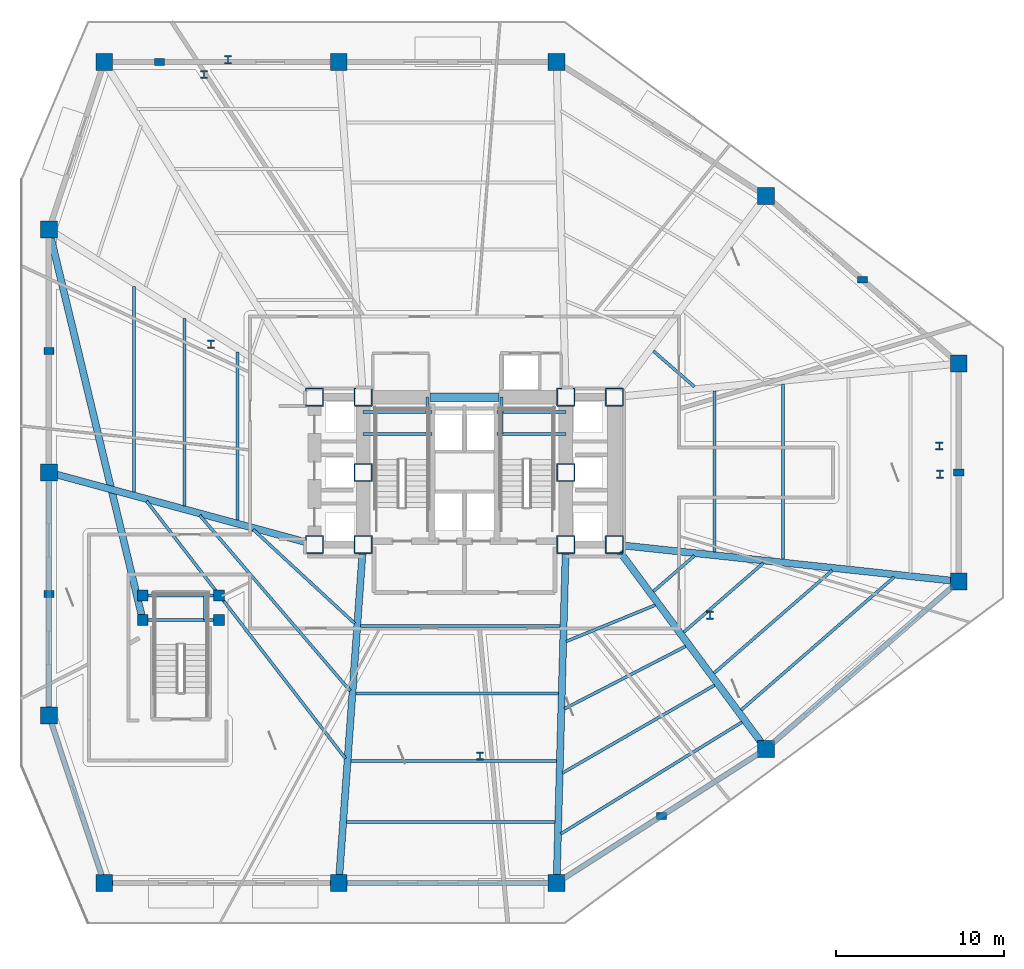
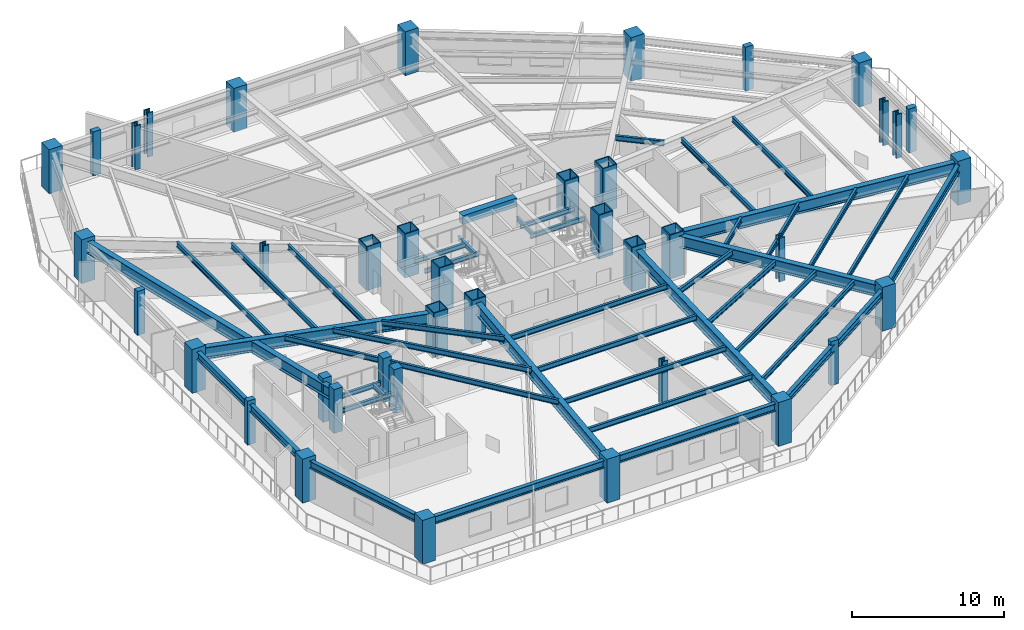
# One storey, part 1 of 10: 43 beams, 40 columns.
"""IFC4 building model written with IfcOpenShell, lengths in metres."""

from ifc_helpers import new_model, si_unit, direction, frame, origin, origin_2d, place, context, subcontext, project, spatial, rectangle, hollow_rectangle, i_section, extrude, material, material_profile, profile_set, type_object, element, save


model = new_model("IFC4")

# Units and contexts
model_context = context("Model", 3, precision=1e-05, world=origin(), true_north=direction((0.0, 1.0)))
body_context = subcontext(model_context, "Body", "Model", "MODEL_VIEW")
ifc_project = project(units=[si_unit("LENGTHUNIT", "METRE"), si_unit("AREAUNIT", "SQUARE_METRE"), si_unit("VOLUMEUNIT", "CUBIC_METRE"), si_unit("PLANEANGLEUNIT", "RADIAN"), si_unit("MASSUNIT", "GRAM", prefix="KILO")], contexts=[model_context])

# Site, building, storey
site_placement = place(None, origin())
site = spatial("IfcSite", under=ifc_project, at=site_placement, CompositionType="ELEMENT")
building_placement = place(site_placement, origin())
building = spatial("IfcBuilding", under=site, at=building_placement, Name="Rocaltana Carrier Exchange", CompositionType="ELEMENT")
storey_placement = place(building_placement, frame((0.0, 0.0, 4.800048828125)))
storey = spatial("IfcBuildingStorey", under=building, at=storey_placement, Name="L02", CompositionType="ELEMENT", Elevation=4.800048828125)

# Columns
ifc_material_1 = material(Name="Concrete C60/75", Category="concrete")
ifc_material_profile_1 = material_profile(ifc_material_1, rectangle(XDim=0.60009765625, YDim=0.39990234375, at=origin_2d()), Name="RC-PIL-600X400")
ifc_profile_set_1 = profile_set([ifc_material_profile_1], Name="Concrete C60/75")
column_type_1 = type_object("IfcColumnType", Name="Concourse Boundary Pilaster 600x400", PredefinedType="PILASTER", material=ifc_profile_set_1)
for number, where, z_axis, x_axis, name in (
    (1, (11.75, -20.5, 0.0), (0.0, 0.0, 1.0), (1.0, 0.0, 0.0), "L02 Concourse Pilaster PL01"),
    (2, (29.5, 0.0, 0.0), (0.0, 0.0, 1.0), (1.0, 0.0, 0.0), "L02 Concourse Pilaster PL02"),
    (3, (-18.199951171875, 24.5, 0.0), (0.0, 0.0, 1.0), (1.0, 0.0, 0.0), "L02 Concourse Pilaster PL03"),
    (4, (23.75, 11.5, 0.0), (0.0, 0.0, 1.0), (1.0, 0.0, 0.0), "L02 Concourse Pilaster PL04"),
    (5, (-24.800048828125, 7.25, 0.0), (0.0, 0.0, 1.0), (1.0, 0.0, 0.0), "L02 Concourse Pilaster PL05"),
    (6, (-24.800048828125, -7.25, 0.0), (0.0, 0.0, 1.0), (1.0, 0.0, 0.0), "L02 Concourse Pilaster PL06"),
):
    element("IfcColumn", number, at=place(storey_placement, frame(where, z_axis=z_axis, x_axis=x_axis)), inside=storey, type_object=column_type_1, Name=name, PredefinedType="PILASTER", context=body_context, shape_type="SweptSolid", body=[
        extrude(rectangle(XDim=0.60009765625, YDim=0.39990234375, at=origin_2d()), origin(), (0.0, 0.0, 1.0), 3.52001953125),
    ])
ifc_material_2 = material(Name="Steel S460", Category="steel")
ifc_material_profile_2 = material_profile(ifc_material_2, hollow_rectangle(XDim=1.10009765625, YDim=1.10009765625, WallThickness=0.070068359375, InnerFilletRadius=0.02001953125, OuterFilletRadius=0.0400390625, at=origin_2d()), Name="BOX1100X1100X70")
ifc_profile_set_2 = profile_set([ifc_material_profile_2], Name="Steel S460")
column_type_2 = type_object("IfcColumnType", Name="Core Mega-Column BOX1100", PredefinedType="COLUMN", material=ifc_profile_set_2)
for number, where, z_axis, x_axis, name in (
    (7, (-6.050048828125, 4.5, 0.0), (0.0, 0.0, 1.0), (1.0, 0.0, 0.0), "L02 Core Mega-Column MC1"),
    (8, (6.050048828125, 4.5, 0.0), (0.0, 0.0, 1.0), (1.0, 0.0, 0.0), "L02 Core Mega-Column MC2"),
    (9, (-6.050048828125, 0.0, 0.0), (0.0, 0.0, 1.0), (1.0, 0.0, 0.0), "L02 Core Mega-Column MC3"),
    (10, (6.050048828125, 0.0, 0.0), (0.0, 0.0, 1.0), (1.0, 0.0, 0.0), "L02 Core Mega-Column MC4"),
    (11, (-6.050048828125, -4.300048828125, 0.0), (0.0, 0.0, 1.0), (1.0, 0.0, 0.0), "L02 Core Mega-Column MC5"),
    (12, (6.050048828125, -4.300048828125, 0.0), (0.0, 0.0, 1.0), (1.0, 0.0, 0.0), "L02 Core Mega-Column MC6"),
    (13, (-8.949951171875, 4.5, 0.0), (0.0, 0.0, 1.0), (1.0, 0.0, 0.0), "L02 West Core Column WC1"),
    (14, (-8.949951171875, -4.300048828125, 0.0), (0.0, 0.0, 1.0), (1.0, 0.0, 0.0), "L02 West Core Column WC2"),
    (15, (8.949951171875, 4.5, 0.0), (0.0, 0.0, 1.0), (1.0, 0.0, 0.0), "L02 East Core Column EC1"),
    (16, (8.949951171875, -4.300048828125, 0.0), (0.0, 0.0, 1.0), (1.0, 0.0, 0.0), "L02 East Core Column EC2"),
):
    element("IfcColumn", number, at=place(storey_placement, frame(where, z_axis=z_axis, x_axis=x_axis)), inside=storey, type_object=column_type_2, Name=name, PredefinedType="COLUMN", context=body_context, shape_type="SweptSolid", body=[
        extrude(hollow_rectangle(XDim=1.10009765625, YDim=1.10009765625, WallThickness=0.070068359375, InnerFilletRadius=0.02001953125, OuterFilletRadius=0.0400390625, at=origin_2d()), origin(), (0.0, 0.0, 1.0), 3.52001953125),
    ])
ifc_material_3 = material(Name="Steel S460", Category="steel")
ifc_material_profile_3 = material_profile(ifc_material_3, i_section(OverallWidth=0.431884765625, OverallDepth=0.498046875, WebThickness=0.0556640625, FlangeThickness=0.0888671875, FilletRadius=0.02490234375, at=origin_2d()), Name="W14X500")
ifc_profile_set_3 = profile_set([ifc_material_profile_3], Name="Steel S460")
column_type_3 = type_object("IfcColumnType", Name="Perimeter Column W14X500", PredefinedType="COLUMN", material=ifc_profile_set_3)
for number, where, z_axis, x_axis, name in (
    (17, (28.340576171875, 1.5849609375, 0.0), (0.0, 0.0, 1.0), (1.0, 0.0, 0.0), "L02 Podium Tower Mega-Column PT01"),
    (18, (-14.106201171875, 24.631591796875, 0.0), (0.0, 0.0, 1.0), (1.0, 0.0, 0.0), "L02 Podium Tower Mega-Column PT04"),
    (19, (-15.54296875, 23.751220703125, 0.0), (0.0, 0.0, 1.0), (1.0, 0.0, 0.0), "L02 Podium Tower Mega-Column PT05"),
    (20, (-15.121337890625, 7.65673828125, 0.0), (0.0, 0.0, 1.0), (1.0, 0.0, 0.0), "L02 Podium Tower Mega-Column PT06"),
    (21, (0.9296875, -16.923828125, 0.0), (0.0, 0.0, 1.0), (1.0, 0.0, 0.0), "L02 Podium Tower Mega-Column PT10"),
    (22, (14.6572265625, -8.51171875, 0.0), (0.0, 0.0, 1.0), (1.0, 0.0, 0.0), "L02 Podium Tower Mega-Column PT11"),
    (23, (28.384765625, -0.099609375, 0.0), (0.0, 0.0, 1.0), (1.0, 0.0, 0.0), "L02 Podium Tower Mega-Column PT12"),
):
    element("IfcColumn", number, at=place(storey_placement, frame(where, z_axis=z_axis, x_axis=x_axis)), inside=storey, type_object=column_type_3, Name=name, PredefinedType="COLUMN", context=body_context, shape_type="SweptSolid", body=[
        extrude(i_section(OverallWidth=0.431884765625, OverallDepth=0.498046875, WebThickness=0.0556640625, FlangeThickness=0.0888671875, FilletRadius=0.02490234375, at=origin_2d()), origin(), (0.0, 0.0, 1.0), 3.52001953125),
    ])
ifc_material_4 = material(Name="Concrete C60/75", Category="concrete")
ifc_material_profile_4 = material_profile(ifc_material_4, rectangle(XDim=1.0, YDim=1.0, at=origin_2d()), Name="RC-COL-1000X1000")
ifc_profile_set_4 = profile_set([ifc_material_profile_4], Name="Concrete C60/75")
column_type_4 = type_object("IfcColumnType", Name="Podium RC Column 1000", PredefinedType="COLUMN", material=ifc_profile_set_4)
for number, where, z_axis, x_axis, name in (
    (24, (-21.5, -24.5, 0.0), (0.0, 0.0, 1.0), (1.0, 0.0, 0.0), "L02 Podium Mega-Column PC01"),
    (25, (-7.5, -24.5, 0.0), (0.0, 0.0, 1.0), (1.0, 0.0, 0.0), "L02 Podium Mega-Column PC02"),
    (26, (5.5, -24.5, 0.0), (0.0, 0.0, 1.0), (1.0, 0.0, 0.0), "L02 Podium Mega-Column PC03"),
    (27, (18.0, -16.5, 0.0), (0.0, 0.0, 1.0), (1.0, 0.0, 0.0), "L02 Podium Mega-Column PC04"),
    (28, (29.5, -6.5, 0.0), (0.0, 0.0, 1.0), (1.0, 0.0, 0.0), "L02 Podium Mega-Column PC05"),
    (29, (29.5, 6.5, 0.0), (0.0, 0.0, 1.0), (1.0, 0.0, 0.0), "L02 Podium Mega-Column PC06"),
    (30, (18.0, 16.5, 0.0), (0.0, 0.0, 1.0), (1.0, 0.0, 0.0), "L02 Podium Mega-Column PC07"),
    (31, (5.5, 24.5, 0.0), (0.0, 0.0, 1.0), (1.0, 0.0, 0.0), "L02 Podium Mega-Column PC08"),
    (32, (-7.5, 24.5, 0.0), (0.0, 0.0, 1.0), (1.0, 0.0, 0.0), "L02 Podium Mega-Column PC09"),
    (33, (-21.5, 24.5, 0.0), (0.0, 0.0, 1.0), (1.0, 0.0, 0.0), "L02 Podium Mega-Column PC10"),
    (34, (-24.800048828125, 14.5, 0.0), (0.0, 0.0, 1.0), (1.0, 0.0, 0.0), "L02 Podium Mega-Column PC11"),
    (35, (-24.800048828125, 0.0, 0.0), (0.0, 0.0, 1.0), (1.0, 0.0, 0.0), "L02 Podium Mega-Column PC13"),
    (36, (-24.800048828125, -14.5, 0.0), (0.0, 0.0, 1.0), (1.0, 0.0, 0.0), "L02 Podium Mega-Column PC12"),
):
    element("IfcColumn", number, at=place(storey_placement, frame(where, z_axis=z_axis, x_axis=x_axis)), inside=storey, type_object=column_type_4, Name=name, PredefinedType="COLUMN", context=body_context, shape_type="SweptSolid", body=[
        extrude(rectangle(XDim=1.0, YDim=1.0, at=origin_2d()), origin(), (0.0, 0.0, 1.0), 3.52001953125),
    ])
ifc_material_5 = material(Name="Concrete C50/60", Category="concrete")
ifc_material_profile_5 = material_profile(ifc_material_5, rectangle(XDim=0.64990234375, YDim=0.64990234375, at=origin_2d()), Name="RC-COL-650X650")
ifc_profile_set_5 = profile_set([ifc_material_profile_5], Name="Concrete C50/60")
column_type_5 = type_object("IfcColumnType", Name="Stair Shaft RC Column 650", PredefinedType="COLUMN", material=ifc_profile_set_5)
for number, where, z_axis, x_axis, name in (
    (37, (-19.199951171875, -8.800048828125, 0.0), (0.0, 0.0, 1.0), (1.0, 0.0, 0.0), "L02 Stair Shaft Column SC3A"),
    (38, (-14.64990234375, -8.800048828125, 0.0), (0.0, 0.0, 1.0), (1.0, 0.0, 0.0), "L02 Stair Shaft Column SC3B"),
    (39, (-19.199951171875, -7.35009765625, 0.0), (0.0, 0.0, 1.0), (1.0, 0.0, 0.0), "L02 Stair Shaft Column SC3C"),
    (40, (-14.64990234375, -7.35009765625, 0.0), (0.0, 0.0, 1.0), (1.0, 0.0, 0.0), "L02 Stair Shaft Column SC3D"),
):
    element("IfcColumn", number, at=place(storey_placement, frame(where, z_axis=z_axis, x_axis=x_axis)), inside=storey, type_object=column_type_5, Name=name, PredefinedType="COLUMN", context=body_context, shape_type="SweptSolid", body=[
        extrude(rectangle(XDim=0.64990234375, YDim=0.64990234375, at=origin_2d()), origin(), (0.0, 0.0, 1.0), 3.52001953125),
    ])

# Beams
ifc_material_6 = material(Name="Concrete C60/75", Category="concrete")
ifc_material_profile_6 = material_profile(ifc_material_6, rectangle(XDim=0.5, YDim=0.699951171875, at=origin_2d()), Name="RC-BM-500X700")
ifc_profile_set_6 = profile_set([ifc_material_profile_6], Name="Concrete C60/75")
beam_type_1 = type_object("IfcBeamType", Name="Core Coupling Lintel 500x700", PredefinedType="LINTEL", material=ifc_profile_set_6)
beam_1_placement = place(storey_placement, frame((-2.050048828125, 4.5, 2.867919921875), z_axis=(1.0, 0.0, 0.0), x_axis=(0.0, 1.0, 0.0)))
element("IfcBeam", 41, at=beam_1_placement, inside=storey, type_object=beam_type_1, Name="L02 Core Coupling Lintel CL-N", PredefinedType="LINTEL", context=body_context, shape_type="SweptSolid", body=[
    extrude(rectangle(XDim=0.5, YDim=0.699951171875, at=origin_2d()), origin(), (0.0, 0.0, 1.0), 4.10009765625),
])
ifc_material_7 = material(Name="Steel S355", Category="steel")
ifc_material_profile_7 = material_profile(ifc_material_7, i_section(OverallWidth=0.172119140625, OverallDepth=0.35791015625, WebThickness=0.0078125, FlangeThickness=0.01318359375, FilletRadius=0.011962890625, at=origin_2d()), Name="W14X38")
ifc_profile_set_7 = profile_set([ifc_material_profile_7], Name="Steel S355")
beam_type_2 = type_object("IfcBeamType", Name="Floor Joist W14X38", PredefinedType="JOIST", material=ifc_profile_set_7)
for number, where, z_axis, x_axis, name in (
    (42, (-6.050048828125, 2.300048828125, 1.380859375), (1.0, 0.0, 0.0), (0.0, 1.0, 0.0), "L02 ST-1 Landing Carrier 1"),
    (43, (1.93994140625, 2.300048828125, 1.380859375), (1.0, 0.0, 0.0), (0.0, 1.0, 0.0), "L02 ST-2 Landing Carrier 1"),
    (44, (-6.050048828125, 3.60009765625, 1.380859375), (1.0, 0.0, 0.0), (0.0, 1.0, 0.0), "L02 ST-1 Landing Carrier 2"),
    (45, (1.93994140625, 3.60009765625, 1.380859375), (1.0, 0.0, 0.0), (0.0, 1.0, 0.0), "L02 ST-2 Landing Carrier 2"),
):
    element("IfcBeam", number, at=place(storey_placement, frame(where, z_axis=z_axis, x_axis=x_axis)), inside=storey, type_object=beam_type_2, Name=name, PredefinedType="JOIST", context=body_context, shape_type="SweptSolid", body=[
        extrude(i_section(OverallWidth=0.172119140625, OverallDepth=0.35791015625, WebThickness=0.0078125, FlangeThickness=0.01318359375, FilletRadius=0.011962890625, at=origin_2d()), origin(), (0.0, 0.0, 1.0), 4.110107421875),
    ])
for number, where, z_axis, x_axis, name in (
    (46, (-2.219970703125, 2.300048828125, 1.380859375), (0.0, 1.0, 0.0), (-1.0, 0.0, 0.0), "L02 ST-1 Landing Cross Trimmer"),
    (47, (2.219970703125, 2.300048828125, 1.380859375), (0.0, 1.0, 0.0), (-1.0, 0.0, 0.0), "L02 ST-2 Landing Cross Trimmer"),
):
    element("IfcBeam", number, at=place(storey_placement, frame(where, z_axis=z_axis, x_axis=x_axis)), inside=storey, type_object=beam_type_2, Name=name, PredefinedType="JOIST", context=body_context, shape_type="SweptSolid", body=[
        extrude(i_section(OverallWidth=0.172119140625, OverallDepth=0.35791015625, WebThickness=0.0078125, FlangeThickness=0.01318359375, FilletRadius=0.011962890625, at=origin_2d()), origin(), (0.0, 0.0, 1.0), 2.199951171875),
    ])
for number, where, z_axis, x_axis, name in (
    (48, (-19.199951171875, -8.800048828125, 1.380859375), (1.0, 0.0, 0.0), (0.0, 1.0, 0.0), "L02 ST-3 South Landing Carrier"),
    (49, (-19.199951171875, -7.35009765625, 1.380859375), (1.0, 0.0, 0.0), (0.0, 1.0, 0.0), "L02 ST-3 North Landing Carrier"),
):
    element("IfcBeam", number, at=place(storey_placement, frame(where, z_axis=z_axis, x_axis=x_axis)), inside=storey, type_object=beam_type_2, Name=name, PredefinedType="JOIST", context=body_context, shape_type="SweptSolid", body=[
        extrude(i_section(OverallWidth=0.172119140625, OverallDepth=0.35791015625, WebThickness=0.0078125, FlangeThickness=0.01318359375, FilletRadius=0.011962890625, at=origin_2d()), origin(), (0.0, 0.0, 1.0), 4.550048828125),
    ])
beam_2_placement = place(storey_placement, frame((-15.5, -8.800048828125, 1.380859375), z_axis=(0.0, 1.0, 0.0), x_axis=(-1.0, 0.0, 0.0)))
element("IfcBeam", 50, at=beam_2_placement, inside=storey, type_object=beam_type_2, Name="L02 ST-3 Landing Cross Trimmer", PredefinedType="JOIST", context=body_context, shape_type="SweptSolid", body=[
    extrude(i_section(OverallWidth=0.172119140625, OverallDepth=0.35791015625, WebThickness=0.0078125, FlangeThickness=0.01318359375, FilletRadius=0.011962890625, at=origin_2d()), origin(), (0.0, 0.0, 1.0), 1.449951171875),
])
ifc_material_8 = material(Name="Steel S355", Category="steel")
ifc_material_profile_8 = material_profile(ifc_material_8, i_section(OverallWidth=0.179931640625, OverallDepth=0.4130859375, WebThickness=0.009765625, FlangeThickness=0.01611328125, FilletRadius=0.012939453125, at=origin_2d()), Name="W16X50")
ifc_profile_set_8 = profile_set([ifc_material_profile_8], Name="Steel S355")
beam_type_3 = type_object("IfcBeamType", Name="Floor Joist W16X50", PredefinedType="JOIST", material=ifc_profile_set_8)
beam_3_placement = place(storey_placement, frame((-6.195068359375, -9.14794921875, 3.011474609375), z_axis=(1.0, 0.0, 0.0), x_axis=(0.0, 1.0, 0.0)))
element("IfcBeam", 51, at=beam_3_placement, inside=storey, type_object=beam_type_3, Name="FJ-POD-01-1-L02", PredefinedType="JOIST", context=body_context, shape_type="SweptSolid", body=[
    extrude(i_section(OverallWidth=0.179931640625, OverallDepth=0.4130859375, WebThickness=0.009765625, FlangeThickness=0.01611328125, FilletRadius=0.012939453125, at=origin_2d()), origin(), (0.0, 0.0, 1.0), 11.91015625),
])
beam_4_placement = place(storey_placement, frame((-6.485107421875, -13.18798828125, 3.011474609375), z_axis=(1.0, 0.0, 0.0), x_axis=(0.0, 1.0, 0.0)))
element("IfcBeam", 52, at=beam_4_placement, inside=storey, type_object=beam_type_3, Name="FJ-POD-01-2-L02", PredefinedType="JOIST", context=body_context, shape_type="SweptSolid", body=[
    extrude(i_section(OverallWidth=0.179931640625, OverallDepth=0.4130859375, WebThickness=0.009765625, FlangeThickness=0.01611328125, FilletRadius=0.012939453125, at=origin_2d()), origin(), (0.0, 0.0, 1.0), 12.090087890625),
])
beam_5_placement = place(storey_placement, frame((-6.77490234375, -17.22802734375, 3.011474609375), z_axis=(1.0, 0.0, 0.0), x_axis=(0.0, 1.0, 0.0)))
element("IfcBeam", 53, at=beam_5_placement, inside=storey, type_object=beam_type_3, Name="FJ-POD-01-3-L02", PredefinedType="JOIST", context=body_context, shape_type="SweptSolid", body=[
    extrude(i_section(OverallWidth=0.179931640625, OverallDepth=0.4130859375, WebThickness=0.009765625, FlangeThickness=0.01611328125, FilletRadius=0.012939453125, at=origin_2d()), origin(), (0.0, 0.0, 1.0), 12.27001953125),
])
beam_6_placement = place(storey_placement, frame((-7.035888671875, -20.864013671875, 3.011474609375), z_axis=(1.0, 0.0, 0.0), x_axis=(0.0, 1.0, 0.0)))
element("IfcBeam", 54, at=beam_6_placement, inside=storey, type_object=beam_type_3, Name="FJ-POD-01-4-L02", PredefinedType="JOIST", context=body_context, shape_type="SweptSolid", body=[
    extrude(i_section(OverallWidth=0.179931640625, OverallDepth=0.4130859375, WebThickness=0.009765625, FlangeThickness=0.01611328125, FilletRadius=0.012939453125, at=origin_2d()), origin(), (0.0, 0.0, 1.0), 12.431884765625),
])
beam_7_placement = place(storey_placement, frame((6.078369140625, -10.081298828125, 3.011474609375), z_axis=(0.925857980972, 0.377871670108, 0.0), x_axis=(-0.377871670108, 0.925857980972, 0.0)))
element("IfcBeam", 55, at=beam_7_placement, inside=storey, type_object=beam_type_3, Name="FJ-POD-02-1-L02", PredefinedType="JOIST", context=body_context, shape_type="SweptSolid", body=[
    extrude(i_section(OverallWidth=0.179931640625, OverallDepth=0.4130859375, WebThickness=0.009765625, FlangeThickness=0.01611328125, FilletRadius=0.012939453125, at=origin_2d()), origin(), (0.0, 0.0, 1.0), 5.7333984375),
])
beam_8_placement = place(storey_placement, frame((5.9609375, -14.10498046875, 3.011474609375), z_axis=(0.888846638309, 0.458204816176, 0.0), x_axis=(-0.458204816176, 0.888846638309, 0.0)))
element("IfcBeam", 56, at=beam_8_placement, inside=storey, type_object=beam_type_3, Name="FJ-POD-02-2-L02", PredefinedType="JOIST", context=body_context, shape_type="SweptSolid", body=[
    extrude(i_section(OverallWidth=0.179931640625, OverallDepth=0.4130859375, WebThickness=0.009765625, FlangeThickness=0.01611328125, FilletRadius=0.012939453125, at=origin_2d()), origin(), (0.0, 0.0, 1.0), 8.14892578125),
])
beam_9_placement = place(storey_placement, frame((5.851806640625, -17.9345703125, 3.011474609375), z_axis=(0.866158045768, 0.499770186937, 0.0), x_axis=(-0.499770186937, 0.866158045768, 0.0)))
element("IfcBeam", 57, at=beam_9_placement, inside=storey, type_object=beam_type_3, Name="FJ-POD-02-3-L02", PredefinedType="JOIST", context=body_context, shape_type="SweptSolid", body=[
    extrude(i_section(OverallWidth=0.179931640625, OverallDepth=0.4130859375, WebThickness=0.009765625, FlangeThickness=0.01611328125, FilletRadius=0.012939453125, at=origin_2d()), origin(), (0.0, 0.0, 1.0), 10.47900390625),
])
beam_10_placement = place(storey_placement, frame((5.749755859375, -21.5654296875, 3.011474609375), z_axis=(0.851162281675, 0.524902629307, 0.0), x_axis=(-0.524902629307, 0.851162281675, 0.0)))
element("IfcBeam", 58, at=beam_10_placement, inside=storey, type_object=beam_type_3, Name="FJ-POD-02-4-L02", PredefinedType="JOIST", context=body_context, shape_type="SweptSolid", body=[
    extrude(i_section(OverallWidth=0.179931640625, OverallDepth=0.4130859375, WebThickness=0.009765625, FlangeThickness=0.01611328125, FilletRadius=0.012939453125, at=origin_2d()), origin(), (0.0, 0.0, 1.0), 12.700927734375),
])
beam_11_placement = place(storey_placement, frame((11.275146484375, -7.0947265625, 3.011474609375), z_axis=(0.75461037159, 0.656173138042, 0.0), x_axis=(-0.656173138042, 0.75461037159, 0.0)))
element("IfcBeam", 59, at=beam_11_placement, inside=storey, type_object=beam_type_3, Name="FJ-POD-03-1-L02", PredefinedType="JOIST", context=body_context, shape_type="SweptSolid", body=[
    extrude(i_section(OverallWidth=0.179931640625, OverallDepth=0.4130859375, WebThickness=0.009765625, FlangeThickness=0.01611328125, FilletRadius=0.012939453125, at=origin_2d()), origin(), (0.0, 0.0, 1.0), 3.25146484375),
])
beam_12_placement = place(storey_placement, frame((13.085205078125, -9.534912109375, 3.011474609375), z_axis=(0.754592172713, 0.656194066477, 0.0), x_axis=(-0.656194066477, 0.754592172713, 0.0)))
element("IfcBeam", 60, at=beam_12_placement, inside=storey, type_object=beam_type_3, Name="FJ-POD-03-2-L02", PredefinedType="JOIST", context=body_context, shape_type="SweptSolid", body=[
    extrude(i_section(OverallWidth=0.179931640625, OverallDepth=0.4130859375, WebThickness=0.009765625, FlangeThickness=0.01611328125, FilletRadius=0.012939453125, at=origin_2d()), origin(), (0.0, 0.0, 1.0), 6.299560546875),
])
beam_13_placement = place(storey_placement, frame((14.895263671875, -11.974853515625, 3.011474609375), z_axis=(0.754600461433, 0.65618453472, 0.0), x_axis=(-0.65618453472, 0.754600461433, 0.0)))
element("IfcBeam", 61, at=beam_13_placement, inside=storey, type_object=beam_type_3, Name="FJ-POD-03-3-L02", PredefinedType="JOIST", context=body_context, shape_type="SweptSolid", body=[
    extrude(i_section(OverallWidth=0.179931640625, OverallDepth=0.4130859375, WebThickness=0.009765625, FlangeThickness=0.01611328125, FilletRadius=0.012939453125, at=origin_2d()), origin(), (0.0, 0.0, 1.0), 9.34716796875),
])
beam_14_placement = place(storey_placement, frame((16.524169921875, -14.1708984375, 3.011474609375), z_axis=(0.754602044397, 0.656182714335, 0.0), x_axis=(-0.656182714335, 0.754602044397, 0.0)))
element("IfcBeam", 62, at=beam_14_placement, inside=storey, type_object=beam_type_3, Name="FJ-POD-03-4-L02", PredefinedType="JOIST", context=body_context, shape_type="SweptSolid", body=[
    extrude(i_section(OverallWidth=0.179931640625, OverallDepth=0.4130859375, WebThickness=0.009765625, FlangeThickness=0.01611328125, FilletRadius=0.012939453125, at=origin_2d()), origin(), (0.0, 0.0, 1.0), 12.090576171875),
])
beam_15_placement = place(storey_placement, frame((14.909423828125, -4.735107421875, 3.011474609375), z_axis=(0.0, 1.0, 0.0), x_axis=(-1.0, 0.0, 0.0)))
element("IfcBeam", 63, at=beam_15_placement, inside=storey, type_object=beam_type_3, Name="FJ-POD-04-1-L02", PredefinedType="JOIST", context=body_context, shape_type="SweptSolid", body=[
    extrude(i_section(OverallWidth=0.179931640625, OverallDepth=0.4130859375, WebThickness=0.009765625, FlangeThickness=0.01611328125, FilletRadius=0.012939453125, at=origin_2d()), origin(), (0.0, 0.0, 1.0), 9.612060546875),
])
beam_16_placement = place(storey_placement, frame((19.01953125, -5.175048828125, 3.011474609375), z_axis=(0.0, 1.0, 0.0), x_axis=(-1.0, 0.0, 0.0)))
element("IfcBeam", 64, at=beam_16_placement, inside=storey, type_object=beam_type_3, Name="FJ-POD-04-2-L02", PredefinedType="JOIST", context=body_context, shape_type="SweptSolid", body=[
    extrude(i_section(OverallWidth=0.179931640625, OverallDepth=0.4130859375, WebThickness=0.009765625, FlangeThickness=0.01611328125, FilletRadius=0.012939453125, at=origin_2d()), origin(), (0.0, 0.0, 1.0), 10.4521484375),
])
beam_17_placement = place(storey_placement, frame((13.728759765625, 5.11328125, 3.011474609375), z_axis=(-0.75461037159, 0.656173138042, 0.0), x_axis=(-0.656173138042, -0.75461037159, 0.0)))
element("IfcBeam", 65, at=beam_17_placement, inside=storey, type_object=beam_type_3, Name="FJ-POD-05-1-L02", PredefinedType="JOIST", context=body_context, shape_type="SweptSolid", body=[
    extrude(i_section(OverallWidth=0.179931640625, OverallDepth=0.4130859375, WebThickness=0.009765625, FlangeThickness=0.01611328125, FilletRadius=0.012939453125, at=origin_2d()), origin(), (0.0, 0.0, 1.0), 3.25146484375),
])
beam_18_placement = place(storey_placement, frame((-13.54638671875, 7.197021484375, 3.011474609375), z_axis=(0.0, -1.0, 0.0), x_axis=(1.0, 0.0, 0.0)))
element("IfcBeam", 66, at=beam_18_placement, inside=storey, type_object=beam_type_3, Name="FJ-POD-10-1-L02", PredefinedType="JOIST", context=body_context, shape_type="SweptSolid", body=[
    extrude(i_section(OverallWidth=0.179931640625, OverallDepth=0.4130859375, WebThickness=0.009765625, FlangeThickness=0.01611328125, FilletRadius=0.012939453125, at=origin_2d()), origin(), (0.0, 0.0, 1.0), 10.047119140625),
])
beam_19_placement = place(storey_placement, frame((-16.716552734375, 9.197021484375, 3.011474609375), z_axis=(0.0, -1.0, 0.0), x_axis=(1.0, 0.0, 0.0)))
element("IfcBeam", 67, at=beam_19_placement, inside=storey, type_object=beam_type_3, Name="FJ-POD-10-2-L02", PredefinedType="JOIST", context=body_context, shape_type="SweptSolid", body=[
    extrude(i_section(OverallWidth=0.179931640625, OverallDepth=0.4130859375, WebThickness=0.009765625, FlangeThickness=0.01611328125, FilletRadius=0.012939453125, at=origin_2d()), origin(), (0.0, 0.0, 1.0), 11.18701171875),
])
beam_20_placement = place(storey_placement, frame((-19.72802734375, 11.096923828125, 3.011474609375), z_axis=(0.0, -1.0, 0.0), x_axis=(1.0, 0.0, 0.0)))
element("IfcBeam", 68, at=beam_20_placement, inside=storey, type_object=beam_type_3, Name="FJ-POD-10-3-L02", PredefinedType="JOIST", context=body_context, shape_type="SweptSolid", body=[
    extrude(i_section(OverallWidth=0.179931640625, OverallDepth=0.4130859375, WebThickness=0.009765625, FlangeThickness=0.01611328125, FilletRadius=0.012939453125, at=origin_2d()), origin(), (0.0, 0.0, 1.0), 12.27001953125),
])
beam_21_placement = place(storey_placement, frame((-12.60498046875, -3.406005859375, 3.011474609375), z_axis=(0.734070313169, -0.679073468282, 0.0), x_axis=(0.679073468282, 0.734070313169, 0.0)))
element("IfcBeam", 69, at=beam_21_placement, inside=storey, type_object=beam_type_3, Name="FJ-POD-11-1-L02", PredefinedType="JOIST", context=body_context, shape_type="SweptSolid", body=[
    extrude(i_section(OverallWidth=0.179931640625, OverallDepth=0.4130859375, WebThickness=0.009765625, FlangeThickness=0.01611328125, FilletRadius=0.012939453125, at=origin_2d()), origin(), (0.0, 0.0, 1.0), 8.25244140625),
])
beam_22_placement = place(storey_placement, frame((-15.7919921875, -2.562255859375, 3.011474609375), z_axis=(0.650641180635, -0.759385313304, 0.0), x_axis=(0.759385313304, 0.650641180635, 0.0)))
element("IfcBeam", 70, at=beam_22_placement, inside=storey, type_object=beam_type_3, Name="FJ-POD-11-2-L02", PredefinedType="JOIST", context=body_context, shape_type="SweptSolid", body=[
    extrude(i_section(OverallWidth=0.179931640625, OverallDepth=0.4130859375, WebThickness=0.009765625, FlangeThickness=0.01611328125, FilletRadius=0.012939453125, at=origin_2d()), origin(), (0.0, 0.0, 1.0), 13.789306640625),
])
beam_23_placement = place(storey_placement, frame((-18.969970703125, -1.70849609375, 3.011474609375), z_axis=(0.611437477542, -0.791292746748, 0.0), x_axis=(0.791292746748, 0.611437477542, 0.0)))
element("IfcBeam", 71, at=beam_23_placement, inside=storey, type_object=beam_type_3, Name="FJ-POD-11-3-L02", PredefinedType="JOIST", context=body_context, shape_type="SweptSolid", body=[
    extrude(i_section(OverallWidth=0.179931640625, OverallDepth=0.4130859375, WebThickness=0.009765625, FlangeThickness=0.01611328125, FilletRadius=0.012939453125, at=origin_2d()), origin(), (0.0, 0.0, 1.0), 19.409912109375),
])
ifc_material_9 = material(Name="Steel S355", Category="steel")
ifc_material_profile_9 = material_profile(ifc_material_9, i_section(OverallWidth=0.41796875, OverallDepth=0.927001953125, WebThickness=0.019287109375, FlangeThickness=0.031982421875, FilletRadius=0.02197265625, at=origin_2d()), Name="W36X231")
ifc_profile_set_9 = profile_set([ifc_material_profile_9], Name="Steel S355")
beam_type_4 = type_object("IfcBeamType", Name="Heavy Floor Girder W36X231", PredefinedType="BEAM", material=ifc_profile_set_9)
beam_24_placement = place(storey_placement, frame((-24.800048828125, 14.5, 2.75439453125), z_axis=(0.233691988748, -0.972310677919, 0.0), x_axis=(0.972310677919, 0.233691988748, 0.0)))
element("IfcBeam", 72, at=beam_24_placement, inside=storey, type_object=beam_type_4, Name="BM-PODG-ST3TRIM-L02", PredefinedType="BEAM", context=body_context, shape_type="SweptSolid", body=[
    extrude(i_section(OverallWidth=0.41796875, OverallDepth=0.927001953125, WebThickness=0.019287109375, FlangeThickness=0.031982421875, FilletRadius=0.02197265625, at=origin_2d()), origin(), (0.0, 0.0, 1.0), 23.963623046875),
])
beam_25_placement = place(storey_placement, frame((-6.0888671875, -4.840576171875, 2.75439453125), z_axis=(-0.071598236064, -0.997433552971, 0.0), x_axis=(0.997433552971, -0.071598236064, 0.0)))
element("IfcBeam", 73, at=beam_25_placement, inside=storey, type_object=beam_type_4, Name="BM-PODG-02-L02", PredefinedType="BEAM", context=body_context, shape_type="SweptSolid", body=[
    extrude(i_section(OverallWidth=0.41796875, OverallDepth=0.927001953125, WebThickness=0.019287109375, FlangeThickness=0.031982421875, FilletRadius=0.02197265625, at=origin_2d()), origin(), (0.0, 0.0, 1.0), 19.218017578125),
])
beam_26_placement = place(storey_placement, frame((6.03515625, -4.841796875, 2.75439453125), z_axis=(-0.027210769983, -0.999629718444, 0.0), x_axis=(0.999629718444, -0.027210769983, 0.0)))
element("IfcBeam", 74, at=beam_26_placement, inside=storey, type_object=beam_type_4, Name="BM-PODG-03-L02", PredefinedType="BEAM", context=body_context, shape_type="SweptSolid", body=[
    extrude(i_section(OverallWidth=0.41796875, OverallDepth=0.927001953125, WebThickness=0.019287109375, FlangeThickness=0.031982421875, FilletRadius=0.02197265625, at=origin_2d()), origin(), (0.0, 0.0, 1.0), 19.173583984375),
])
beam_27_placement = place(storey_placement, frame((9.27294921875, -4.7353515625, 2.75439453125), z_axis=(0.595769776536, -0.803155261059, 0.0), x_axis=(0.803155261059, 0.595769776536, 0.0)))
element("IfcBeam", 75, at=beam_27_placement, inside=storey, type_object=beam_type_4, Name="BM-PODG-04-L02", PredefinedType="BEAM", context=body_context, shape_type="SweptSolid", body=[
    extrude(i_section(OverallWidth=0.41796875, OverallDepth=0.927001953125, WebThickness=0.019287109375, FlangeThickness=0.031982421875, FilletRadius=0.02197265625, at=origin_2d()), origin(), (0.0, 0.0, 1.0), 14.15625),
])
beam_28_placement = place(storey_placement, frame((9.489013671875, -4.357666015625, 2.75439453125), z_axis=(0.994318699664, -0.10644399231, 0.0), x_axis=(0.10644399231, 0.994318699664, 0.0)))
element("IfcBeam", 76, at=beam_28_placement, inside=storey, type_object=beam_type_4, Name="BM-PODG-05-L02", PredefinedType="BEAM", context=body_context, shape_type="SweptSolid", body=[
    extrude(i_section(OverallWidth=0.41796875, OverallDepth=0.927001953125, WebThickness=0.019287109375, FlangeThickness=0.031982421875, FilletRadius=0.02197265625, at=origin_2d()), origin(), (0.0, 0.0, 1.0), 19.63330078125),
])
beam_29_placement = place(storey_placement, frame((-9.47314453125, -4.158203125, 2.75439453125), z_axis=(-0.965113696216, 0.261831154327, 0.0), x_axis=(-0.261831154327, -0.965113696216, 0.0)))
element("IfcBeam", 77, at=beam_29_placement, inside=storey, type_object=beam_type_4, Name="BM-PODG-12-L02", PredefinedType="BEAM", context=body_context, shape_type="SweptSolid", body=[
    extrude(i_section(OverallWidth=0.41796875, OverallDepth=0.927001953125, WebThickness=0.019287109375, FlangeThickness=0.031982421875, FilletRadius=0.02197265625, at=origin_2d()), origin(), (0.0, 0.0, 1.0), 15.388916015625),
])
ifc_material_10 = material(Name="Steel S355", Category="steel")
ifc_material_profile_10 = material_profile(ifc_material_10, i_section(OverallWidth=0.300048828125, OverallDepth=0.60009765625, WebThickness=0.015380859375, FlangeThickness=0.030029296875, FilletRadius=0.027099609375, at=origin_2d()), Name="HEB600")
ifc_profile_set_10 = profile_set([ifc_material_profile_10], Name="Steel S355")
beam_type_5 = type_object("IfcBeamType", Name="Spandrel Edge Beam HEB600", PredefinedType="SPANDREL", material=ifc_profile_set_10)
beam_30_placement = place(storey_placement, frame((-21.008056640625, -24.5, 2.91796875), z_axis=(1.0, 0.0, 0.0), x_axis=(0.0, 1.0, 0.0)))
element("IfcBeam", 78, at=beam_30_placement, inside=storey, type_object=beam_type_5, Name="BM-PODR-01-L02", PredefinedType="SPANDREL", context=body_context, shape_type="SweptSolid", body=[
    extrude(i_section(OverallWidth=0.300048828125, OverallDepth=0.60009765625, WebThickness=0.015380859375, FlangeThickness=0.030029296875, FilletRadius=0.027099609375, at=origin_2d()), origin(), (0.0, 0.0, 1.0), 13.01611328125),
])
beam_31_placement = place(storey_placement, frame((-7.008056640625, -24.5, 2.91796875), z_axis=(1.0, 0.0, 0.0), x_axis=(0.0, 1.0, 0.0)))
element("IfcBeam", 79, at=beam_31_placement, inside=storey, type_object=beam_type_5, Name="BM-PODR-02-L02", PredefinedType="SPANDREL", context=body_context, shape_type="SweptSolid", body=[
    extrude(i_section(OverallWidth=0.300048828125, OverallDepth=0.60009765625, WebThickness=0.015380859375, FlangeThickness=0.030029296875, FilletRadius=0.027099609375, at=origin_2d()), origin(), (0.0, 0.0, 1.0), 12.01611328125),
])
beam_32_placement = place(storey_placement, frame((5.914306640625, -24.23486328125, 2.91796875), z_axis=(0.842270120768, 0.539055696252, 0.0), x_axis=(-0.539055696252, 0.842270120768, 0.0)))
element("IfcBeam", 80, at=beam_32_placement, inside=storey, type_object=beam_type_5, Name="BM-PODR-03-L02", PredefinedType="SPANDREL", context=body_context, shape_type="SweptSolid", body=[
    extrude(i_section(OverallWidth=0.300048828125, OverallDepth=0.60009765625, WebThickness=0.015380859375, FlangeThickness=0.030029296875, FilletRadius=0.027099609375, at=origin_2d()), origin(), (0.0, 0.0, 1.0), 13.857177734375),
])
beam_33_placement = place(storey_placement, frame((18.371337890625, -16.17724609375, 2.91796875), z_axis=(0.754595198685, 0.656190586737, 0.0), x_axis=(-0.656190586737, 0.754595198685, 0.0)))
element("IfcBeam", 81, at=beam_33_placement, inside=storey, type_object=beam_type_5, Name="BM-PODR-04-L02", PredefinedType="SPANDREL", context=body_context, shape_type="SweptSolid", body=[
    extrude(i_section(OverallWidth=0.300048828125, OverallDepth=0.60009765625, WebThickness=0.015380859375, FlangeThickness=0.030029296875, FilletRadius=0.027099609375, at=origin_2d()), origin(), (0.0, 0.0, 1.0), 14.255859375),
])
beam_34_placement = place(storey_placement, frame((-24.800048828125, -0.491943359375, 2.91796875), z_axis=(0.0, -1.0, 0.0), x_axis=(1.0, 0.0, 0.0)))
element("IfcBeam", 82, at=beam_34_placement, inside=storey, type_object=beam_type_5, Name="BM-PODR-12-L02", PredefinedType="SPANDREL", context=body_context, shape_type="SweptSolid", body=[
    extrude(i_section(OverallWidth=0.300048828125, OverallDepth=0.60009765625, WebThickness=0.015380859375, FlangeThickness=0.030029296875, FilletRadius=0.027099609375, at=origin_2d()), origin(), (0.0, 0.0, 1.0), 13.51611328125),
])
beam_35_placement = place(storey_placement, frame((-24.645751953125, -14.96728515625, 2.91796875), z_axis=(0.313364538918, -0.94963291105, 0.0), x_axis=(0.94963291105, 0.313364538918, 0.0)))
element("IfcBeam", 83, at=beam_35_placement, inside=storey, type_object=beam_type_5, Name="BM-PODR-13-L02", PredefinedType="SPANDREL", context=body_context, shape_type="SweptSolid", body=[
    extrude(i_section(OverallWidth=0.300048828125, OverallDepth=0.60009765625, WebThickness=0.015380859375, FlangeThickness=0.030029296875, FilletRadius=0.027099609375, at=origin_2d()), origin(), (0.0, 0.0, 1.0), 9.546142578125),
])

save(model, "model.ifc")
